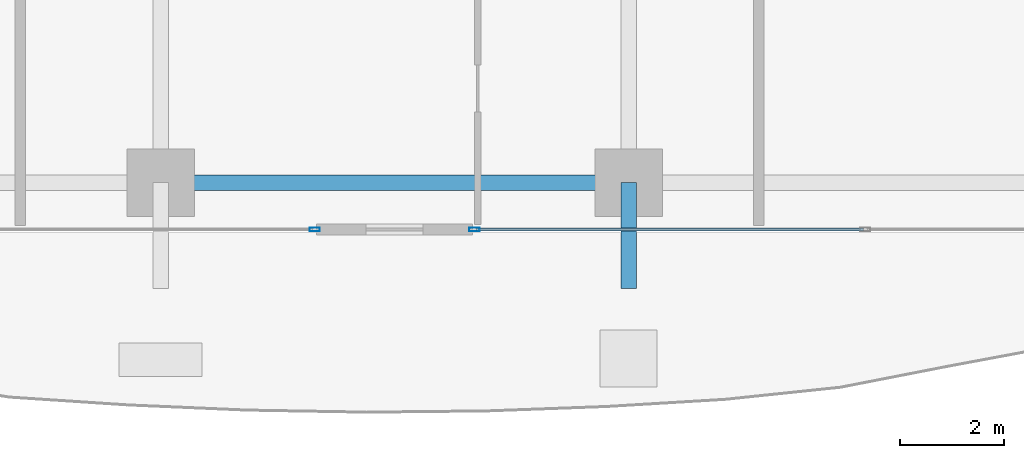
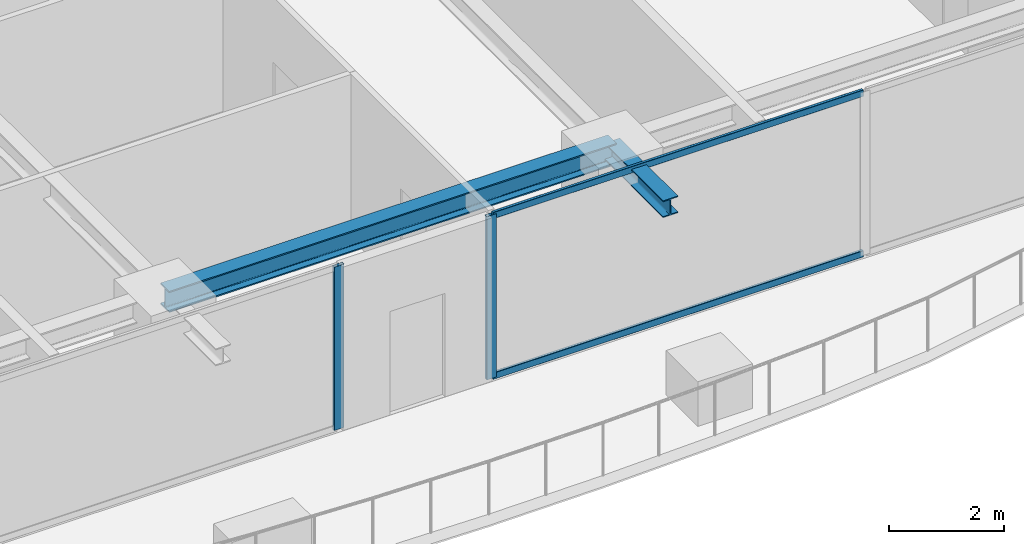
# One storey, part 5 of 37: 4 members, 2 beams, 2 elements without a shape of their own.
"""IFC4 building model written with IfcOpenShell, lengths in metres."""

from ifc_helpers import new_model, si_unit, direction, frame, origin, origin_2d, place, context, subcontext, project, spatial, hollow_rectangle, i_section, extrude, source, transform, mapped, material, layer, layer_set, material_profile, profile_set, type_object, element, aggregate, save


model = new_model("IFC4")

# Units and contexts
model_context = context("Model", 3, precision=1e-05, world=origin(), true_north=direction((0.0, 1.0)))
body_context = subcontext(model_context, "Body", "Model", "MODEL_VIEW")
ifc_project = project(units=[si_unit("LENGTHUNIT", "METRE"), si_unit("AREAUNIT", "SQUARE_METRE"), si_unit("VOLUMEUNIT", "CUBIC_METRE"), si_unit("PLANEANGLEUNIT", "RADIAN"), si_unit("MASSUNIT", "GRAM", prefix="KILO")], contexts=[model_context])

# Site, building, storey
site_placement = place(None, origin())
site = spatial("IfcSite", under=ifc_project, at=site_placement, CompositionType="ELEMENT")
building_placement = place(site_placement, origin())
building = spatial("IfcBuilding", under=site, at=building_placement, Name="Serunith Strait Residences", CompositionType="ELEMENT")
storey_placement = place(building_placement, frame((0.0, 0.0, 161.39990234375)))
storey = spatial("IfcBuildingStorey", under=building, at=storey_placement, Name="L40", CompositionType="ELEMENT", Elevation=161.39990234375)

# Beams
ifc_material_1 = material(Name="Steel S355J2", Category="steel")
ifc_material_profile_1 = material_profile(ifc_material_1, i_section(OverallWidth=0.300048828125, OverallDepth=0.449951171875, WebThickness=0.013916015625, FlangeThickness=0.02587890625, FilletRadius=0.027099609375, at=origin_2d()), Name="HEB 450")
ifc_profile_set_1 = profile_set([ifc_material_profile_1], Name="Steel S355J2")
beam_type_1 = type_object("IfcBeamType", Name="BM-HEB450", PredefinedType="BEAM", material=ifc_profile_set_1)
shared_shape_1 = source(origin(), body_context, "Body", "SweptSolid", [
    extrude(i_section(OverallWidth=0.300048828125, OverallDepth=0.449951171875, WebThickness=0.013916015625, FlangeThickness=0.02587890625, FilletRadius=0.027099609375, at=origin_2d()), origin(), (0.0, 0.0, 1.0), 9.0),
])
beam_1_placement = place(storey_placement, frame((27.89990234375, 2.300048828125, 3.26220703125), z_axis=(1.0, 0.0, 0.0), x_axis=(0.0, 1.0, 0.0)))
element("IfcBeam", 1, at=beam_1_placement, inside=storey, type_object=beam_type_1, Name="L40 Perimeter Ring Beam 02", PredefinedType="BEAM", context=body_context, shape_type="MappedRepresentation", body=[
    mapped(shared_shape_1, transform((0.0, 0.0, 0.0), scale=1.0)),
])
ifc_material_profile_2 = material_profile(ifc_material_1, i_section(OverallWidth=0.300048828125, OverallDepth=0.360107421875, WebThickness=0.012451171875, FlangeThickness=0.0224609375, FilletRadius=0.027099609375, at=origin_2d()), Name="HEB 360")
ifc_profile_set_2 = profile_set([ifc_material_profile_2], Name="Steel S355J2")
beam_type_2 = type_object("IfcBeamType", Name="BM-HEB360", PredefinedType="BEAM", material=ifc_profile_set_2)
shared_shape_2 = source(origin(), body_context, "Body", "SweptSolid", [
    extrude(i_section(OverallWidth=0.300048828125, OverallDepth=0.360107421875, WebThickness=0.012451171875, FlangeThickness=0.0224609375, FilletRadius=0.027099609375, at=origin_2d()), origin(), (0.0, 0.0, 1.0), 2.030029296875),
])
beam_2_placement = place(storey_placement, frame((36.89990234375, 2.300048828125, 3.277099609375), z_axis=(0.0, -1.0, 0.0), x_axis=(1.0, 0.0, 0.0)))
element("IfcBeam", 2, at=beam_2_placement, inside=storey, type_object=beam_type_2, Name="L41 Cantilevered Balcony Rib TC-S3", PredefinedType="BEAM", context=body_context, shape_type="MappedRepresentation", body=[
    mapped(shared_shape_2, transform((0.0, 0.0, 0.0), scale=1.0)),
])

# Curtain wall, member
ifc_material_2 = material(Name="Pale-Champagne Anodised Aluminium", Category="aluminium")
ifc_layer = layer(ifc_material_2, 0.199951171875, Name="Pale-Champagne Anodised Aluminium")
ifc_layer_set = layer_set([ifc_layer], Name="Pale-Champagne Anodised Aluminium")
curtain_wall_type = type_object("IfcCurtainWallType", Name="CW-SYS2", PredefinedType="NOTDEFINED", material=ifc_layer_set)
curtain_wall_1_placement = place(storey_placement, origin())
curtain_wall_1 = element("IfcCurtainWall", 3, at=curtain_wall_1_placement, inside=storey, type_object=curtain_wall_type, Name="L40 S Unitised Fritted Curtain Wall", PredefinedType="NOTDEFINED")
ifc_material_profile_3 = material_profile(ifc_material_2, hollow_rectangle(XDim=0.070068359375, YDim=0.199951171875, WallThickness=0.00390625, InnerFilletRadius=0.006103515625, OuterFilletRadius=0.010009765625, at=origin_2d()), Name="ALU 200x70x4")
ifc_profile_set_3 = profile_set([ifc_material_profile_3], Name="Pale-Champagne Anodised Aluminium")
member_type_1 = type_object("IfcMemberType", Name="CW-SYS2-MULL", PredefinedType="MULLION", material=ifc_profile_set_3)
shared_shape_3 = source(origin(), body_context, "Body", "SweptSolid", [
    extrude(hollow_rectangle(XDim=0.070068359375, YDim=0.199951171875, WallThickness=0.00390625, InnerFilletRadius=0.006103515625, OuterFilletRadius=0.010009765625, at=origin_2d()), origin(), (0.0, 0.0, 1.0), 3.47509765625),
])
member_1_placement = place(storey_placement, frame((30.864990234375, 1.39990234375, 0.0), z_axis=(0.0, 0.0, 1.0), x_axis=(0.0, 1.0, 0.0)))
member_1 = element("IfcMember", 4, at=member_1_placement, type_object=member_type_1, Name="CW-2 mullion 3", PredefinedType="MULLION", context=body_context, shape_type="MappedRepresentation", body=[
    mapped(shared_shape_3, transform((0.0, 0.0, 0.0), scale=1.0)),
])
aggregate(curtain_wall_1, [member_1])

# Curtain wall, members
curtain_wall_2_placement = place(storey_placement, origin())
curtain_wall_2 = element("IfcCurtainWall", 5, at=curtain_wall_2_placement, inside=storey, type_object=curtain_wall_type, Name="L40 S Unitised Fritted Curtain Wall", PredefinedType="NOTDEFINED")
member_2_placement = place(storey_placement, frame((33.93505859375, 1.39990234375, 0.0), z_axis=(0.0, 0.0, 1.0), x_axis=(0.0, 1.0, 0.0)))
member_2 = element("IfcMember", 6, at=member_2_placement, type_object=member_type_1, Name="CW-2 mullion 1", PredefinedType="MULLION", context=body_context, shape_type="MappedRepresentation", body=[
    mapped(shared_shape_3, transform((0.0, 0.0, 0.0), scale=1.0)),
])
ifc_material_profile_4 = material_profile(ifc_material_2, hollow_rectangle(XDim=0.06005859375, YDim=0.139892578125, WallThickness=0.00341796875, InnerFilletRadius=0.00537109375, OuterFilletRadius=0.0087890625, at=origin_2d()), Name="ALU 140x60x3.5")
ifc_profile_set_4 = profile_set([ifc_material_profile_4], Name="Pale-Champagne Anodised Aluminium")
member_type_2 = type_object("IfcMemberType", Name="CW-SYS2-TRAN", PredefinedType="USERDEFINED", material=ifc_profile_set_4)
shared_shape_4 = source(origin(), body_context, "Body", "SweptSolid", [
    extrude(hollow_rectangle(XDim=0.06005859375, YDim=0.139892578125, WallThickness=0.00341796875, InnerFilletRadius=0.00537109375, OuterFilletRadius=0.0087890625, at=origin_2d()), origin(), (0.0, 0.0, 1.0), 7.445068359375),
])
member_3_placement = place(storey_placement, frame((33.969970703125, 1.39990234375, 0.030029296875), z_axis=(1.0, 0.0, 0.0), x_axis=(0.0, 1.0, 0.0)))
member_3 = element("IfcMember", 7, at=member_3_placement, type_object=member_type_2, Name="CW-2 transom 1.1", ObjectType="TRANSOM", PredefinedType="USERDEFINED", context=body_context, shape_type="MappedRepresentation", body=[
    mapped(shared_shape_4, transform((0.0, 0.0, 0.0), scale=1.0)),
])
member_4_placement = place(storey_placement, frame((33.969970703125, 1.39990234375, 3.445068359375), z_axis=(1.0, 0.0, 0.0), x_axis=(0.0, 1.0, 0.0)))
member_4 = element("IfcMember", 8, at=member_4_placement, type_object=member_type_2, Name="CW-2 transom 1.2", ObjectType="TRANSOM", PredefinedType="USERDEFINED", context=body_context, shape_type="MappedRepresentation", body=[
    mapped(shared_shape_4, transform((0.0, 0.0, 0.0), scale=1.0)),
])
aggregate(curtain_wall_2, [member_2, member_3, member_4])

save(model, "model.ifc")
